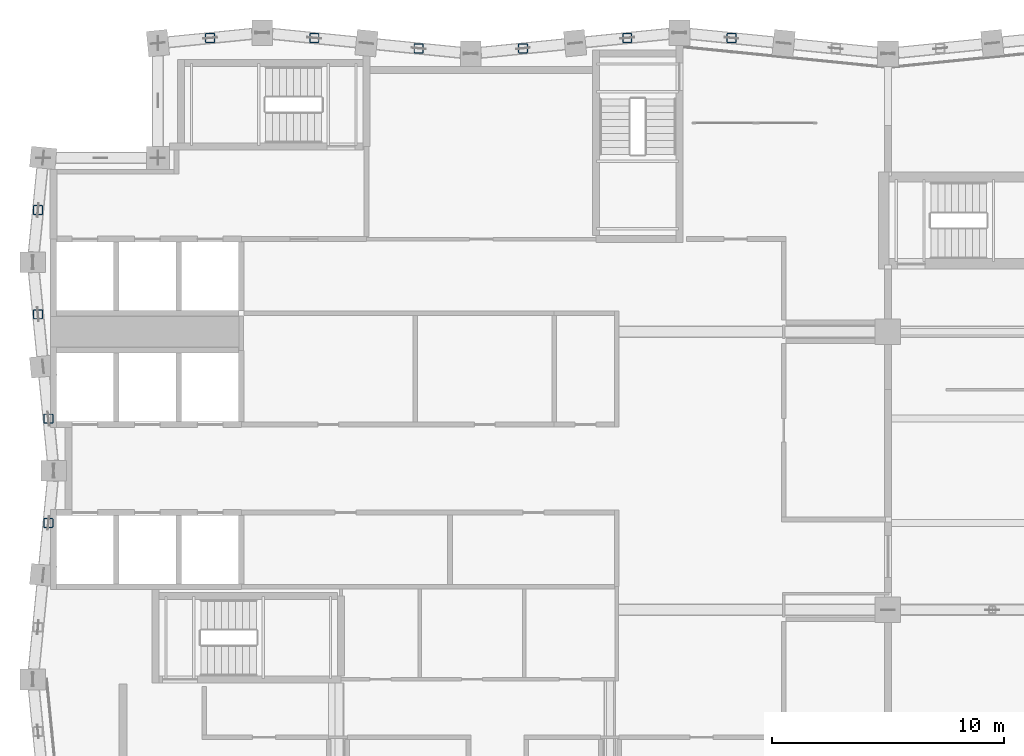
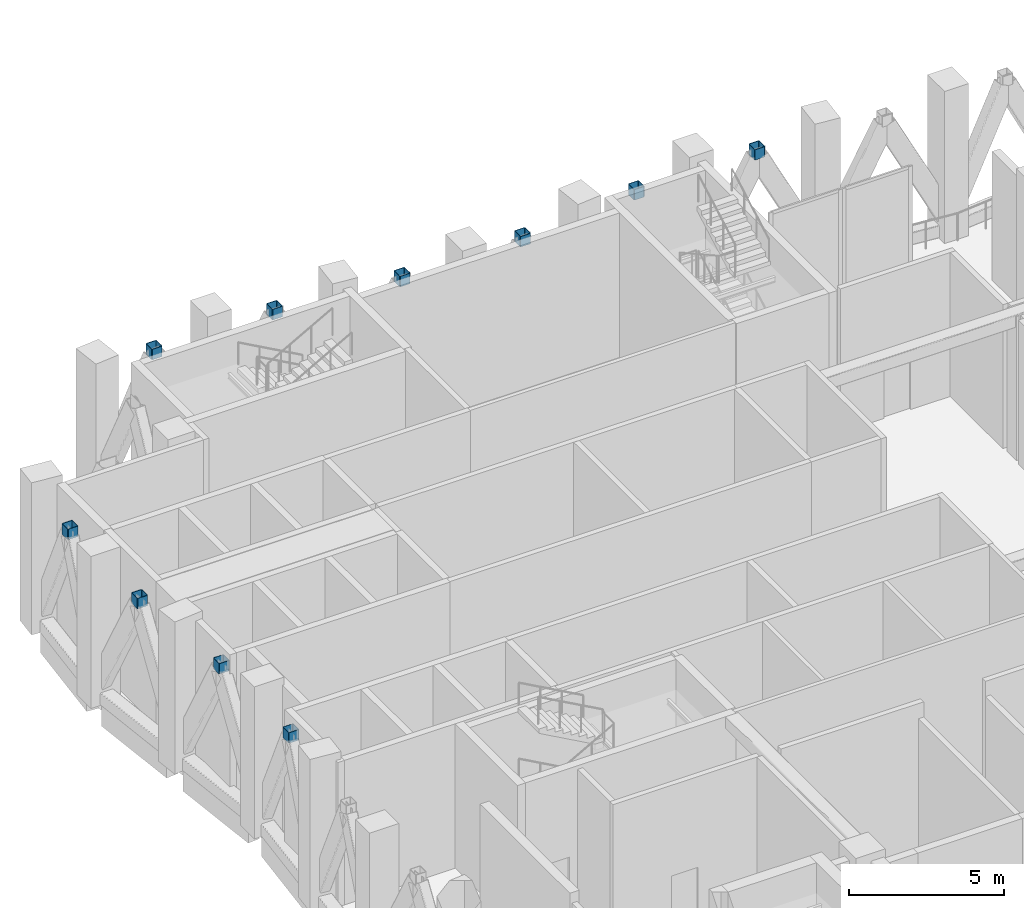
# One storey, part 12 of 28: 10 members.
"""IFC4 building model written with IfcOpenShell, lengths in metres."""

from ifc_helpers import new_model, si_unit, direction, frame, origin, origin_2d, place, context, subcontext, project, spatial, hollow_rectangle, extrude, material, material_profile, profile_set, type_object, element, save


model = new_model("IFC4")

# Units and contexts
model_context = context("Model", 3, precision=1e-05, world=origin(), true_north=direction((0.0, 1.0)))
body_context = subcontext(model_context, "Body", "Model", "MODEL_VIEW")
ifc_project = project(units=[si_unit("LENGTHUNIT", "METRE"), si_unit("AREAUNIT", "SQUARE_METRE"), si_unit("VOLUMEUNIT", "CUBIC_METRE"), si_unit("PLANEANGLEUNIT", "RADIAN"), si_unit("MASSUNIT", "GRAM", prefix="KILO")], contexts=[model_context])

# Site, building, storey
site_placement = place(None, origin())
site = spatial("IfcSite", under=ifc_project, at=site_placement, CompositionType="ELEMENT")
building_placement = place(site_placement, origin())
building = spatial("IfcBuilding", under=site, at=building_placement, Name="Brondeck Convention Tower", CompositionType="ELEMENT")
storey_placement = place(building_placement, frame((0.0, 0.0, 192.800048828125)))
storey = spatial("IfcBuildingStorey", under=building, at=storey_placement, Name="L47", CompositionType="ELEMENT", Elevation=192.800048828125)

# Members
ifc_material = material(Name="Steel S460", Category="steel")
ifc_material_profile = material_profile(ifc_material, hollow_rectangle(XDim=0.39990234375, YDim=0.39990234375, WallThickness=0.02001953125, InnerFilletRadius=0.02001953125, OuterFilletRadius=0.0400390625, at=origin_2d()), Name="RHS 400x400x20")
ifc_profile_set = profile_set([ifc_material_profile], Name="Steel S460")
member_type = type_object("IfcMemberType", Name="Chevron strut RHS 400x400x20", PredefinedType="STRUT", material=ifc_profile_set)
for number, where, z_axis, x_axis, name in (
    (1, (29.25, 63.675048828125, 4.937744140625), (0.0, 0.0, 1.0), (1.0, 0.0, 0.0), "Belt truss BT-47-33 post"),
    (2, (24.75, 63.675048828125, 4.937744140625), (0.0, 0.0, 1.0), (1.0, 0.0, 0.0), "Belt truss BT-47-34 post"),
    (3, (20.25, 63.22509765625, 4.937744140625), (0.0, 0.0, 1.0), (1.0, 0.0, 0.0), "Belt truss BT-47-35 post"),
    (4, (15.75, 63.22509765625, 4.937744140625), (0.0, 0.0, 1.0), (1.0, 0.0, 0.0), "Belt truss BT-47-36 post"),
    (5, (11.25, 63.675048828125, 4.937744140625), (0.0, 0.0, 1.0), (1.0, 0.0, 0.0), "Belt truss BT-47-37 post"),
    (6, (6.75, 63.675048828125, 4.937744140625), (0.0, 0.0, 1.0), (1.0, 0.0, 0.0), "Belt truss BT-47-38 post"),
    (7, (-0.675048828125, 56.25, 4.937744140625), (0.0, 0.0, 1.0), (1.0, 0.0, 0.0), "Belt truss BT-47-41 post"),
    (8, (-0.675048828125, 51.75, 4.937744140625), (0.0, 0.0, 1.0), (1.0, 0.0, 0.0), "Belt truss BT-47-42 post"),
    (9, (-0.22509765625, 47.25, 4.937744140625), (0.0, 0.0, 1.0), (1.0, 0.0, 0.0), "Belt truss BT-47-43 post"),
    (10, (-0.22509765625, 42.75, 4.937744140625), (0.0, 0.0, 1.0), (1.0, 0.0, 0.0), "Belt truss BT-47-44 post"),
):
    element("IfcMember", number, at=place(storey_placement, frame(where, z_axis=z_axis, x_axis=x_axis)), inside=storey, type_object=member_type, Name=name, PredefinedType="STRUT", context=body_context, shape_type="SweptSolid", body=[
        extrude(hollow_rectangle(XDim=0.39990234375, YDim=0.39990234375, WallThickness=0.02001953125, InnerFilletRadius=0.02001953125, OuterFilletRadius=0.0400390625, at=origin_2d()), origin(), (0.0, 0.0, 1.0), 0.412109375),
    ])

save(model, "model.ifc")
